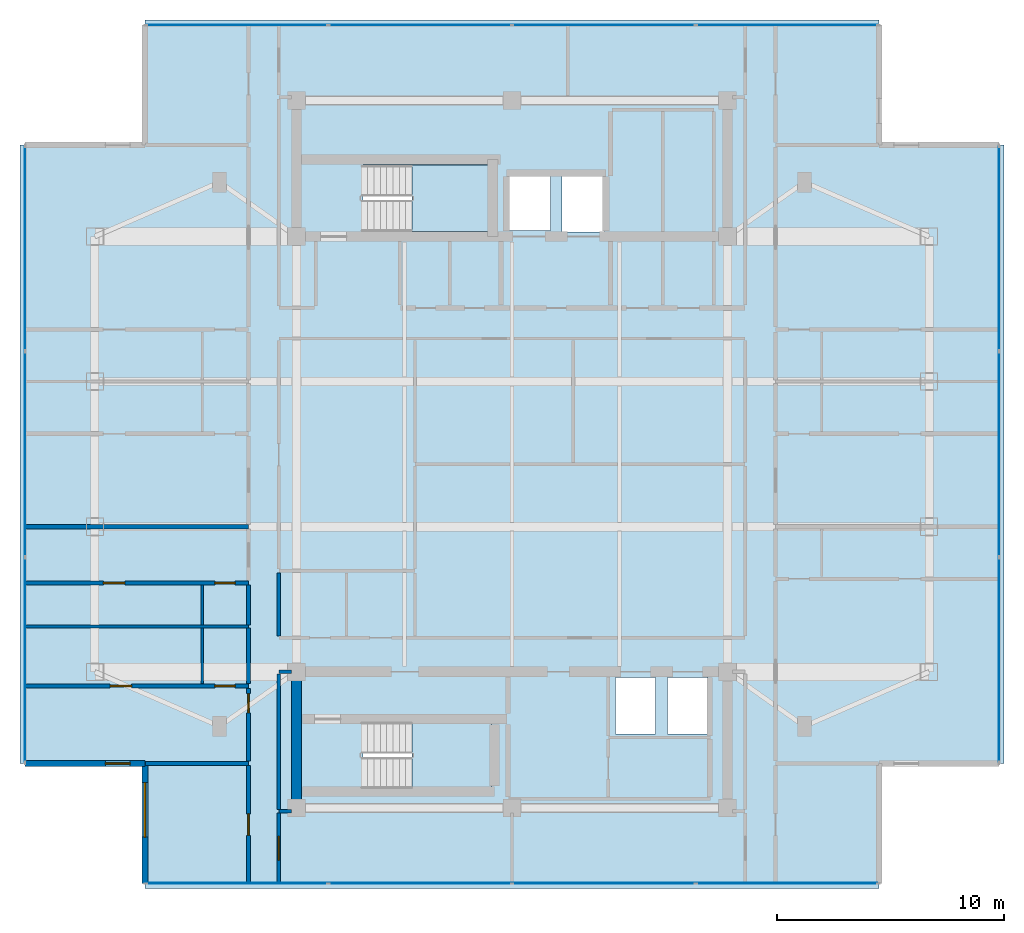
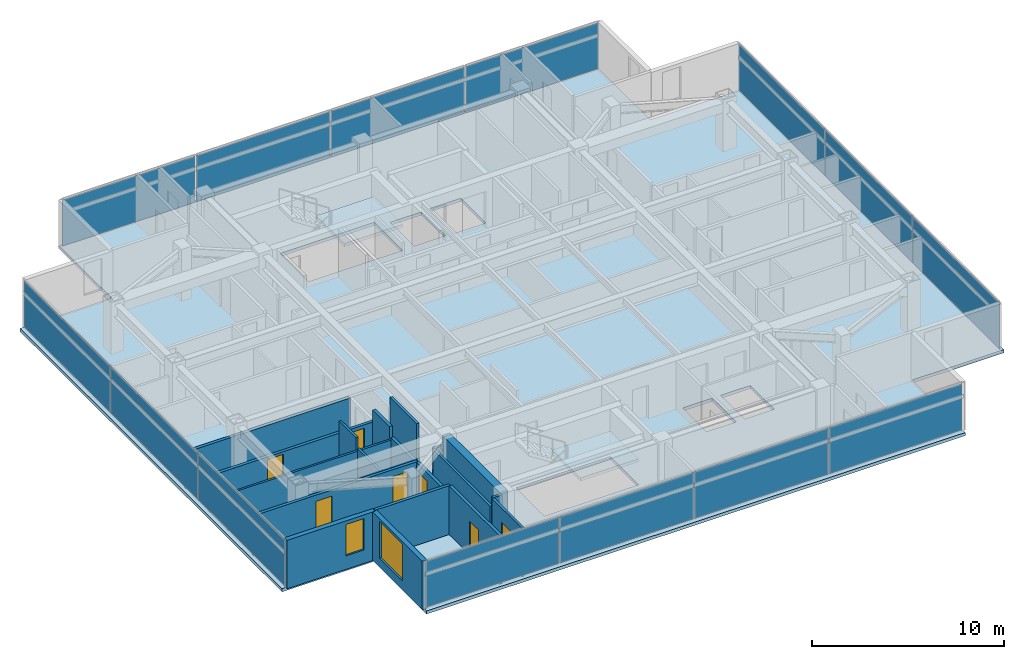
# One storey, part 7 of 14: 19 walls, 14 plates, 7 doors, 3 slabs, 2 windows, 9 openings, 6 elements without a shape of their own.
"""IFC4 building model written with IfcOpenShell, lengths in metres."""

from ifc_helpers import new_model, si_unit, direction, frame, frame_2d, origin, origin_2d, place, context, subcontext, project, spatial, polyline, rectangle, outline, extrude, material, layer, layer_set, type_object, element, fill, aggregate, save


model = new_model("IFC4")

# Units and contexts
model_context = context("Model", 3, precision=1e-05, world=origin(), true_north=direction((0.0, 1.0)))
body_context = subcontext(model_context, "Body", "Model", "MODEL_VIEW")
ifc_project = project(units=[si_unit("LENGTHUNIT", "METRE"), si_unit("AREAUNIT", "SQUARE_METRE"), si_unit("VOLUMEUNIT", "CUBIC_METRE"), si_unit("PLANEANGLEUNIT", "RADIAN"), si_unit("MASSUNIT", "GRAM", prefix="KILO")], contexts=[model_context])

# Site, building, storey
site_placement = place(None, origin())
site = spatial("IfcSite", under=ifc_project, at=site_placement, CompositionType="ELEMENT")
building_placement = place(site_placement, origin())
building = spatial("IfcBuilding", under=site, at=building_placement, Name="Mirazonda Arch Towers", CompositionType="ELEMENT")
storey_placement = place(building_placement, frame((0.0, 0.0, 235.89990234375)))
storey = spatial("IfcBuildingStorey", under=building, at=storey_placement, Name="L67", CompositionType="ELEMENT", Elevation=235.89990234375)

# Curtain wall, plates
ifc_material_1 = material(Name="Anodised Aluminium and Low-E Glass", Category="aluminium")
curtain_wall_type = type_object("IfcCurtainWallType", Name="CW-RES-UNIT", PredefinedType="NOTDEFINED", material=ifc_material_1)
curtain_wall_1_placement = place(storey_placement, origin())
curtain_wall_1 = element("IfcCurtainWall", 1, at=curtain_wall_1_placement, inside=storey, type_object=curtain_wall_type, Name="L67 T1 S Facade CW-L67-T1-S", PredefinedType="NOTDEFINED")
ifc_material_2 = material(Name="Insulated Low-E Solar Glass", Category="glass")
ifc_layer_1 = layer(ifc_material_2, 0.0400390625, Name="PAN-CW-RES-UNIT")
ifc_layer_set_1 = layer_set([ifc_layer_1], Name="Insulated Low-E Solar Glass")
plate_type = type_object("IfcPlateType", Name="PAN-CW-RES-UNIT", PredefinedType="CURTAIN_PANEL", material=ifc_layer_set_1)
plate_1_placement = place(storey_placement, frame((32.623779296875, 9.070068359375, 0.0751953125), z_axis=(0.0, 0.0, 1.0), x_axis=(-1.0, 0.0, 0.0)))
plate_1 = element("IfcPlate", 2, at=plate_1_placement, type_object=plate_type, Name="CW-104 panel 1.1", PredefinedType="CURTAIN_PANEL", context=body_context, shape_type="SweptSolid", body=[
    extrude(rectangle(XDim=7.982421875, YDim=0.0400390625, at=origin_2d()), origin(), (0.0, 0.0, 1.0), 2.929931640625),
])
plate_2_placement = place(storey_placement, frame((24.547607421875, 9.070068359375, 0.0751953125), z_axis=(0.0, 0.0, 1.0), x_axis=(-1.0, 0.0, 0.0)))
plate_2 = element("IfcPlate", 3, at=plate_2_placement, type_object=plate_type, Name="CW-104 panel 2.1", PredefinedType="CURTAIN_PANEL", context=body_context, shape_type="SweptSolid", body=[
    extrude(rectangle(XDim=8.02001953125, YDim=0.0400390625, at=origin_2d()), origin(), (0.0, 0.0, 1.0), 2.929931640625),
])
plate_3_placement = place(storey_placement, frame((16.452392578125, 9.070068359375, 0.0751953125), z_axis=(0.0, 0.0, 1.0), x_axis=(-1.0, 0.0, 0.0)))
plate_3 = element("IfcPlate", 4, at=plate_3_placement, type_object=plate_type, Name="CW-104 panel 3.1", PredefinedType="CURTAIN_PANEL", context=body_context, shape_type="SweptSolid", body=[
    extrude(rectangle(XDim=8.02001953125, YDim=0.0400390625, at=origin_2d()), origin(), (0.0, 0.0, 1.0), 2.929931640625),
])
plate_4_placement = place(storey_placement, frame((8.376220703125, 9.070068359375, 0.0751953125), z_axis=(0.0, 0.0, 1.0), x_axis=(-1.0, 0.0, 0.0)))
plate_4 = element("IfcPlate", 5, at=plate_4_placement, type_object=plate_type, Name="CW-104 panel 4.1", PredefinedType="CURTAIN_PANEL", context=body_context, shape_type="SweptSolid", body=[
    extrude(rectangle(XDim=7.982421875, YDim=0.0400390625, at=origin_2d()), origin(), (0.0, 0.0, 1.0), 2.929931640625),
])
aggregate(curtain_wall_1, [plate_1, plate_2, plate_3, plate_4])

curtain_wall_2_placement = place(storey_placement, origin())
curtain_wall_2 = element("IfcCurtainWall", 6, at=curtain_wall_2_placement, inside=storey, type_object=curtain_wall_type, Name="L67 T1 E Facade CW-L67-T1-E", PredefinedType="NOTDEFINED")
plate_5_placement = place(storey_placement, frame((41.97998046875, 18.925537109375, 0.0751953125), z_axis=(0.0, 0.0, 1.0), x_axis=(0.0, 1.0, 0.0)))
plate_5 = element("IfcPlate", 7, at=plate_5_placement, type_object=plate_type, Name="CW-104 panel 1.1", PredefinedType="CURTAIN_PANEL", context=body_context, shape_type="SweptSolid", body=[
    extrude(rectangle(XDim=8.980712890625, YDim=0.0400390625, at=origin_2d()), origin(), (0.0, 0.0, 1.0), 2.929931640625),
])
plate_6_placement = place(storey_placement, frame((41.97998046875, 28.0, 0.0751953125), z_axis=(0.0, 0.0, 1.0), x_axis=(0.0, 1.0, 0.0)))
plate_6 = element("IfcPlate", 8, at=plate_6_placement, type_object=plate_type, Name="CW-104 panel 2.1", PredefinedType="CURTAIN_PANEL", context=body_context, shape_type="SweptSolid", body=[
    extrude(rectangle(XDim=9.018310546875, YDim=0.0400390625, at=origin_2d()), origin(), (0.0, 0.0, 1.0), 2.929931640625),
])
plate_7_placement = place(storey_placement, frame((41.97998046875, 37.074462890625, 0.0751953125), z_axis=(0.0, 0.0, 1.0), x_axis=(0.0, 1.0, 0.0)))
plate_7 = element("IfcPlate", 9, at=plate_7_placement, type_object=plate_type, Name="CW-104 panel 3.1", PredefinedType="CURTAIN_PANEL", context=body_context, shape_type="SweptSolid", body=[
    extrude(rectangle(XDim=8.980712890625, YDim=0.0400390625, at=origin_2d()), origin(), (0.0, 0.0, 1.0), 2.929931640625),
])
aggregate(curtain_wall_2, [plate_5, plate_6, plate_7])

curtain_wall_3_placement = place(storey_placement, origin())
curtain_wall_3 = element("IfcCurtainWall", 10, at=curtain_wall_3_placement, inside=storey, type_object=curtain_wall_type, Name="L67 T1 N Facade CW-L67-T1-N", PredefinedType="NOTDEFINED")
plate_8_placement = place(storey_placement, frame((8.376220703125, 46.929931640625, 0.0751953125), z_axis=(0.0, 0.0, 1.0), x_axis=(1.0, 0.0, 0.0)))
plate_8 = element("IfcPlate", 11, at=plate_8_placement, type_object=plate_type, Name="CW-104 panel 1.1", PredefinedType="CURTAIN_PANEL", context=body_context, shape_type="SweptSolid", body=[
    extrude(rectangle(XDim=7.982421875, YDim=0.0400390625, at=origin_2d()), origin(), (0.0, 0.0, 1.0), 2.929931640625),
])
plate_9_placement = place(storey_placement, frame((16.452392578125, 46.929931640625, 0.0751953125), z_axis=(0.0, 0.0, 1.0), x_axis=(1.0, 0.0, 0.0)))
plate_9 = element("IfcPlate", 12, at=plate_9_placement, type_object=plate_type, Name="CW-104 panel 2.1", PredefinedType="CURTAIN_PANEL", context=body_context, shape_type="SweptSolid", body=[
    extrude(rectangle(XDim=8.02001953125, YDim=0.0400390625, at=origin_2d()), origin(), (0.0, 0.0, 1.0), 2.929931640625),
])
plate_10_placement = place(storey_placement, frame((24.547607421875, 46.929931640625, 0.0751953125), z_axis=(0.0, 0.0, 1.0), x_axis=(1.0, 0.0, 0.0)))
plate_10 = element("IfcPlate", 13, at=plate_10_placement, type_object=plate_type, Name="CW-104 panel 3.1", PredefinedType="CURTAIN_PANEL", context=body_context, shape_type="SweptSolid", body=[
    extrude(rectangle(XDim=8.02001953125, YDim=0.0400390625, at=origin_2d()), origin(), (0.0, 0.0, 1.0), 2.929931640625),
])
plate_11_placement = place(storey_placement, frame((32.623779296875, 46.929931640625, 0.0751953125), z_axis=(0.0, 0.0, 1.0), x_axis=(1.0, 0.0, 0.0)))
plate_11 = element("IfcPlate", 14, at=plate_11_placement, type_object=plate_type, Name="CW-104 panel 4.1", PredefinedType="CURTAIN_PANEL", context=body_context, shape_type="SweptSolid", body=[
    extrude(rectangle(XDim=7.982421875, YDim=0.0400390625, at=origin_2d()), origin(), (0.0, 0.0, 1.0), 2.929931640625),
])
aggregate(curtain_wall_3, [plate_8, plate_9, plate_10, plate_11])

curtain_wall_4_placement = place(storey_placement, origin())
curtain_wall_4 = element("IfcCurtainWall", 15, at=curtain_wall_4_placement, inside=storey, type_object=curtain_wall_type, Name="L67 T1 W Facade CW-L67-T1-W", PredefinedType="NOTDEFINED")
plate_12_placement = place(storey_placement, frame((-0.97998046875, 37.074462890625, 0.0751953125), z_axis=(0.0, 0.0, 1.0), x_axis=(0.0, -1.0, 0.0)))
plate_12 = element("IfcPlate", 16, at=plate_12_placement, type_object=plate_type, Name="CW-104 panel 1.1", PredefinedType="CURTAIN_PANEL", context=body_context, shape_type="SweptSolid", body=[
    extrude(rectangle(XDim=8.980712890625, YDim=0.0400390625, at=origin_2d()), origin(), (0.0, 0.0, 1.0), 2.929931640625),
])
plate_13_placement = place(storey_placement, frame((-0.97998046875, 28.0, 0.0751953125), z_axis=(0.0, 0.0, 1.0), x_axis=(0.0, -1.0, 0.0)))
plate_13 = element("IfcPlate", 17, at=plate_13_placement, type_object=plate_type, Name="CW-104 panel 2.1", PredefinedType="CURTAIN_PANEL", context=body_context, shape_type="SweptSolid", body=[
    extrude(rectangle(XDim=9.018310546875, YDim=0.0400390625, at=origin_2d()), origin(), (0.0, 0.0, 1.0), 2.929931640625),
])
plate_14_placement = place(storey_placement, frame((-0.97998046875, 18.925537109375, 0.0751953125), z_axis=(0.0, 0.0, 1.0), x_axis=(0.0, -1.0, 0.0)))
plate_14 = element("IfcPlate", 18, at=plate_14_placement, type_object=plate_type, Name="CW-104 panel 3.1", PredefinedType="CURTAIN_PANEL", context=body_context, shape_type="SweptSolid", body=[
    extrude(rectangle(XDim=8.980712890625, YDim=0.0400390625, at=origin_2d()), origin(), (0.0, 0.0, 1.0), 2.929931640625),
])
aggregate(curtain_wall_4, [plate_12, plate_13, plate_14])

# Stair, slab
ifc_material_3 = material(Name="Concrete C40/50", Category="concrete")
stair_type = type_object("IfcStairType", Name="STAIR-CORE-1400", PredefinedType="HALF_TURN_STAIR", material=ifc_material_3)
stair_1_placement = place(storey_placement, origin())
stair_1 = element("IfcStair", 19, at=stair_1_placement, inside=storey, type_object=stair_type, Name="L67 Protected Exit Stair ST-T1N", PredefinedType="HALF_TURN_STAIR")
ifc_layer_2 = layer(ifc_material_3, 0.18994140625, Name="SLAB-LANDING-190")
ifc_layer_set_2 = layer_set([ifc_layer_2], Name="Concrete C40/50")
slab_type_1 = type_object("IfcSlabType", Name="SLAB-LANDING-190", PredefinedType="LANDING", material=ifc_layer_set_2)
slab_1_placement = place(storey_placement, frame((0.0, 0.0, 1.4501953125)))
slab_1 = element("IfcSlab", 20, at=slab_1_placement, type_object=slab_type_1, Name="ST-T1N landing 1", PredefinedType="LANDING", context=body_context, shape_type="SweptSolid", body=[
    extrude(outline(polyline([(16.090087890625, 37.820068359375), (19.60009765625, 37.820068359375), (19.60009765625, 40.760009765625), (16.090087890625, 40.760009765625), (16.090087890625, 37.820068359375)])), origin(), (0.0, 0.0, 1.0), 0.199951171875),
])
aggregate(stair_1, [slab_1])

stair_2_placement = place(storey_placement, origin())
stair_2 = element("IfcStair", 21, at=stair_2_placement, inside=storey, type_object=stair_type, Name="L67 Protected Exit Stair ST-T1S", PredefinedType="HALF_TURN_STAIR")
slab_2_placement = place(storey_placement, frame((0.0, 0.0, 1.4501953125)))
slab_2 = element("IfcSlab", 22, at=slab_2_placement, type_object=slab_type_1, Name="ST-T1S landing 1", PredefinedType="LANDING", context=body_context, shape_type="SweptSolid", body=[
    extrude(outline(polyline([(16.090087890625, 13.25), (19.60009765625, 13.25), (19.60009765625, 16.18994140625), (16.090087890625, 16.18994140625), (16.090087890625, 13.25)])), origin(), (0.0, 0.0, 1.0), 0.199951171875),
])
aggregate(stair_2, [slab_2])

# Slab
ifc_layer_3 = layer(ifc_material_3, 0.199951171875, Name="SLAB-TWR-200")
ifc_layer_set_3 = layer_set([ifc_layer_3], Name="Concrete C40/50")
slab_type_2 = type_object("IfcSlabType", Name="SLAB-TWR-200", PredefinedType="FLOOR", material=ifc_layer_set_3)
slab_3_placement = place(storey_placement, frame((0.0, 0.0, -0.199951171875)))
element("IfcSlab", 23, at=slab_3_placement, inside=storey, type_object=slab_type_2, Name="L67 Tower 1 Floor Slab", PredefinedType="FLOOR", context=body_context, shape_type="SweptSolid", body=[
    extrude(outline(polyline([(4.31005859375, 8.85009765625), (36.68994140625, 8.85009765625), (36.68994140625, 14.360107421875), (42.199951171875, 14.360107421875), (42.199951171875, 41.639892578125), (36.68994140625, 41.639892578125), (36.68994140625, 47.14990234375), (4.31005859375, 47.14990234375), (4.31005859375, 41.639892578125), (-1.199951171875, 41.639892578125), (-1.199951171875, 14.360107421875), (4.31005859375, 14.360107421875), (4.31005859375, 8.85009765625)]), holes=[polyline([(27.360107421875, 18.139892578125), (29.139892578125, 18.139892578125), (29.139892578125, 15.659912109375), (27.360107421875, 15.659912109375), (27.360107421875, 18.139892578125)]), polyline([(25.06005859375, 18.139892578125), (26.840087890625, 18.139892578125), (26.840087890625, 15.659912109375), (25.06005859375, 15.659912109375), (25.06005859375, 18.139892578125)]), polyline([(22.7099609375, 40.389892578125), (24.590087890625, 40.389892578125), (24.590087890625, 37.81005859375), (22.7099609375, 37.81005859375), (22.7099609375, 40.389892578125)]), polyline([(20.31005859375, 37.860107421875), (20.31005859375, 40.340087890625), (22.18994140625, 40.340087890625), (22.18994140625, 37.860107421875), (20.31005859375, 37.860107421875)]), polyline([(19.60009765625, 13.25), (13.925048828125, 13.25), (13.925048828125, 16.18994140625), (19.60009765625, 16.18994140625), (19.60009765625, 13.25)]), polyline([(13.925048828125, 37.820068359375), (13.925048828125, 40.760009765625), (19.60009765625, 40.760009765625), (19.60009765625, 37.820068359375), (13.925048828125, 37.820068359375)])]), origin(), (0.0, 0.0, 1.0), 0.199951171875),
])

# Wall
ifc_material_4 = material(Name="Concrete C50/60", Category="concrete")
ifc_layer_4 = layer(ifc_material_4, 0.449951171875, Name="WALL-CORE-450")
ifc_layer_set_4 = layer_set([ifc_layer_4], Name="Concrete C50/60")
wall_type_1 = type_object("IfcWallType", Name="WALL-CORE-450", PredefinedType="SHEAR", material=ifc_layer_set_4)
wall_1_placement = place(storey_placement, frame((11.0, 12.39990234375, 0.0), z_axis=(0.0, 0.0, 1.0), x_axis=(0.0, 1.0, 0.0)))
element("IfcWall", 24, at=wall_1_placement, inside=storey, type_object=wall_type_1, Name="L67 T1S-W Core Shear Wall", PredefinedType="SHEAR", context=body_context, shape_type="SweptSolid", body=[
    extrude(rectangle(XDim=6.0, YDim=0.449951171875, at=frame_2d((3.0, 0.0))), origin(), (0.0, 0.0, 1.0), 3.10009765625),
])

# Wall, opening, window
ifc_material_5 = material(Name="Precast Concrete C40/50", Category="concrete")
ifc_layer_5 = layer(ifc_material_5, 0.280029296875, Name="WALL-EXT-WALL-280")
ifc_layer_set_5 = layer_set([ifc_layer_5], Name="Precast Concrete C40/50")
wall_type_2 = type_object("IfcWallType", Name="WALL-EXT-WALL-280", PredefinedType="SOLIDWALL", material=ifc_layer_set_5)
wall_2_placement = place(storey_placement, frame((4.31005859375, 14.360107421875, 0.0), z_axis=(0.0, 0.0, 1.0), x_axis=(0.0, -1.0, 0.0)))
wall_2 = element("IfcWall", 25, at=wall_2_placement, inside=storey, type_object=wall_type_2, Name="L67 T1 Notched SW Corner Wall WL-L67-T1-CSW", PredefinedType="SOLIDWALL", context=body_context, shape_type="SweptSolid", body=[
    extrude(rectangle(XDim=5.2900390625, YDim=0.280029296875, at=frame_2d((2.64501953125, 0.0))), origin(), (0.0, 0.0, 1.0), 3.080078125),
])
opening_1_placement = place(wall_2_placement, frame((0.85009765625, 0.0, 0.580078125)))
opening_1 = element("IfcOpeningElement", 26, at=opening_1_placement, cuts=wall_2, Name="Opening WN-121", PredefinedType="OPENING", context=body_context, shape_type="SweptSolid", body=[
    extrude(rectangle(XDim=2.39990234375, YDim=2.35009765625, at=frame_2d((1.199951171875, 1.175048828125))), frame((0.0, 0.14990234375, 0.0), z_axis=(0.0, -1.0, 0.0), x_axis=(1.0, 0.0, 0.0)), (0.0, 0.0, 1.0), 0.300048828125),
])
window_type_1 = type_object("IfcWindowType", Name="WIN-PENT-2400x2350", PartitioningType="SINGLE_PANEL", PredefinedType="WINDOW", material=ifc_material_2)
window_1_placement = place(opening_1_placement, origin())
window_1 = element("IfcWindow", 27, at=window_1_placement, inside=storey, type_object=window_type_1, Name="L67 Punched Facade Window WN-L67-T1-CSW", OverallHeight=2.35009765625, OverallWidth=2.39990234375, PartitioningType="SINGLE_PANEL", PredefinedType="WINDOW", context=body_context, shape_type="SweptSolid", body=[
    extrude(rectangle(XDim=2.39990234375, YDim=2.35009765625, at=frame_2d((1.199951171875, 1.175048828125))), frame((0.0, 0.030029296875, 0.0), z_axis=(0.0, -1.0, 0.0), x_axis=(1.0, 0.0, 0.0)), (0.0, 0.0, 1.0), 0.06005859375),
])
fill(opening_1, window_1)

wall_3_placement = place(storey_placement, frame((-0.97998046875, 14.360107421875, 0.0), z_axis=(0.0, 0.0, 1.0), x_axis=(1.0, 0.0, 0.0)))
wall_3 = element("IfcWall", 28, at=wall_3_placement, inside=storey, type_object=wall_type_2, Name="L67 T1 Corner Notch Return Wall WL-L67-T1-CSW2", PredefinedType="SOLIDWALL", context=body_context, shape_type="SweptSolid", body=[
    extrude(rectangle(XDim=5.2900390625, YDim=0.280029296875, at=frame_2d((2.64501953125, 0.0))), origin(), (0.0, 0.0, 1.0), 3.080078125),
])
opening_2_placement = place(wall_3_placement, frame((3.5400390625, 0.0, 0.85009765625)))
opening_2 = element("IfcOpeningElement", 29, at=opening_2_placement, cuts=wall_3, Name="Opening WN-108", PredefinedType="OPENING", context=body_context, shape_type="SweptSolid", body=[
    extrude(rectangle(XDim=1.10009765625, YDim=2.0, at=frame_2d((0.550048828125, 1.0))), frame((0.0, 0.14990234375, 0.0), z_axis=(0.0, -1.0, 0.0), x_axis=(1.0, 0.0, 0.0)), (0.0, 0.0, 1.0), 0.300048828125),
])
window_type_2 = type_object("IfcWindowType", Name="WIN-NOTCH-1100x2000", PartitioningType="SINGLE_PANEL", PredefinedType="WINDOW", material=ifc_material_2)
window_2_placement = place(opening_2_placement, origin())
window_2 = element("IfcWindow", 30, at=window_2_placement, inside=storey, type_object=window_type_2, Name="L67 Punched Facade Window WN-L67-T1-CSW2", OverallHeight=2.0, OverallWidth=1.10009765625, PartitioningType="SINGLE_PANEL", PredefinedType="WINDOW", context=body_context, shape_type="SweptSolid", body=[
    extrude(rectangle(XDim=1.10009765625, YDim=2.0, at=frame_2d((0.550048828125, 1.0))), frame((0.0, 0.030029296875, 0.0), z_axis=(0.0, -1.0, 0.0), x_axis=(1.0, 0.0, 0.0)), (0.0, 0.0, 1.0), 0.06005859375),
])
fill(opening_2, window_2)

# Walls
ifc_material_6 = material(Name="Fire-Rated Gypsum Stud Partition")
ifc_layer_6 = layer(ifc_material_6, 0.14990234375, Name="WALL-PART-CORR-150")
ifc_layer_set_6 = layer_set([ifc_layer_6], Name="Fire-Rated Gypsum Stud Partition")
wall_type_3 = type_object("IfcWallType", Name="WALL-PART-CORR-150", PredefinedType="PARTITIONING", material=ifc_layer_set_6)
wall_4_placement = place(storey_placement, frame((10.219970703125, 12.25, 0.0), z_axis=(0.0, 0.0, 1.0), x_axis=(1.0, 0.0, 0.0)))
element("IfcWall", 31, at=wall_4_placement, inside=storey, type_object=wall_type_3, Name="L67 Interior Partition 001", PredefinedType="PARTITIONING", context=body_context, shape_type="SweptSolid", body=[
    extrude(rectangle(XDim=0.56005859375, YDim=0.14990234375, at=frame_2d((0.280029296875, 0.0))), origin(), (0.0, 0.0, 1.0), 3.10009765625),
])
wall_5_placement = place(storey_placement, frame((10.219970703125, 18.39990234375, 0.0), z_axis=(0.0, 0.0, 1.0), x_axis=(1.0, 0.0, 0.0)))
element("IfcWall", 32, at=wall_5_placement, inside=storey, type_object=wall_type_3, Name="L67 Interior Partition 010", PredefinedType="PARTITIONING", context=body_context, shape_type="SweptSolid", body=[
    extrude(rectangle(XDim=0.56005859375, YDim=0.14990234375, at=frame_2d((0.280029296875, 0.0))), origin(), (0.0, 0.0, 1.0), 2.4921875),
])

# Wall, opening, door
wall_6_placement = place(storey_placement, frame((10.219970703125, 9.070068359375, 0.0), z_axis=(0.0, 0.0, 1.0), x_axis=(0.0, 1.0, 0.0)))
wall_6 = element("IfcWall", 33, at=wall_6_placement, inside=storey, type_object=wall_type_3, Name="L67 Interior Partition 049", PredefinedType="PARTITIONING", context=body_context, shape_type="SweptSolid", body=[
    extrude(rectangle(XDim=3.094970703125, YDim=0.14990234375, at=frame_2d((1.54736328125, 0.0))), origin(), (0.0, 0.0, 1.0), 3.10009765625),
])
opening_3_placement = place(wall_6_placement, frame((1.0224609375, 0.0, 0.0)))
opening_3 = element("IfcOpeningElement", 34, at=opening_3_placement, cuts=wall_6, Name="Opening DR-121", PredefinedType="OPENING", context=body_context, shape_type="SweptSolid", body=[
    extrude(rectangle(XDim=1.050048828125, YDim=2.199951171875, at=frame_2d((0.52490234375, 1.10009765625))), frame((0.0, 0.0849609375, 0.0), z_axis=(0.0, -1.0, 0.0), x_axis=(1.0, 0.0, 0.0)), (0.0, 0.0, 1.0), 0.169921875),
])
ifc_material_7 = material(Name="Architectural Brushed Steel S355", Category="steel")
door_type_1 = type_object("IfcDoorType", Name="DOOR-SUITE-FD60-1050", OperationType="NOTDEFINED", PredefinedType="DOOR", material=ifc_material_7)
door_1_placement = place(opening_3_placement, origin())
door_1 = element("IfcDoor", 35, at=door_1_placement, inside=storey, type_object=door_type_1, Name="L67 South Horizon Lounge West Door", OperationType="SINGLE_SWING_RIGHT", OverallHeight=2.199951171875, OverallWidth=1.050048828125, PredefinedType="DOOR", context=body_context, shape_type="SweptSolid", body=[
    extrude(rectangle(XDim=1.050048828125, YDim=2.199951171875, at=frame_2d((0.52490234375, 1.10009765625))), frame((0.0, 0.02490234375, 0.0), z_axis=(0.0, -1.0, 0.0), x_axis=(1.0, 0.0, 0.0)), (0.0, 0.0, 1.0), 0.050048828125),
])
fill(opening_3, door_1)

# Walls
wall_7_placement = place(storey_placement, frame((10.219970703125, 12.3349609375, 0.0), z_axis=(0.0, 0.0, 1.0), x_axis=(0.0, 1.0, 0.0)))
element("IfcWall", 36, at=wall_7_placement, inside=storey, type_object=wall_type_3, Name="L67 Interior Partition 050", PredefinedType="PARTITIONING", context=body_context, shape_type="SweptSolid", body=[
    extrude(rectangle(XDim=5.97998046875, YDim=0.14990234375, at=frame_2d((2.989990234375, 0.0))), origin(), (0.0, 0.0, 1.0), 2.4921875),
])
wall_8_placement = place(storey_placement, frame((10.219970703125, 19.985107421875, 0.0), z_axis=(0.0, 0.0, 1.0), x_axis=(0.0, 1.0, 0.0)))
element("IfcWall", 37, at=wall_8_placement, inside=storey, type_object=wall_type_3, Name="L67 Interior Partition 051", PredefinedType="PARTITIONING", context=body_context, shape_type="SweptSolid", body=[
    extrude(rectangle(XDim=2.77978515625, YDim=0.14990234375, at=frame_2d((1.389892578125, 0.0))), origin(), (0.0, 0.0, 1.0), 3.10009765625),
])
ifc_material_8 = material(Name="Fire-Rated Gypsum Twin-Stud Assembly")
ifc_layer_7 = layer(ifc_material_8, 0.179931640625, Name="WALL-PART-DEMISE-180")
ifc_layer_set_7 = layer_set([ifc_layer_7], Name="Fire-Rated Gypsum Twin-Stud Assembly")
wall_type_4 = type_object("IfcWallType", Name="WALL-PART-DEMISE-180", PredefinedType="PARTITIONING", material=ifc_layer_set_7)
wall_9_placement = place(storey_placement, frame((4.330078125, 14.360107421875, 0.0), z_axis=(0.0, 0.0, 1.0), x_axis=(1.0, 0.0, 0.0)))
element("IfcWall", 38, at=wall_9_placement, inside=storey, type_object=wall_type_4, Name="L67 Interior Partition 005", PredefinedType="PARTITIONING", context=body_context, shape_type="SweptSolid", body=[
    extrude(rectangle(XDim=4.5498046875, YDim=0.179931640625, at=frame_2d((2.27490234375, 0.0))), origin(), (0.0, 0.0, 1.0), 3.10009765625),
])

# Wall, openings, doors
wall_10_placement = place(storey_placement, frame((-0.97998046875, 17.77587890625, 0.0), z_axis=(0.0, 0.0, 1.0), x_axis=(1.0, 0.0, 0.0)))
wall_10 = element("IfcWall", 39, at=wall_10_placement, inside=storey, type_object=wall_type_4, Name="L67 Interior Partition 009", PredefinedType="PARTITIONING", context=body_context, shape_type="SweptSolid", body=[
    extrude(rectangle(XDim=9.85986328125, YDim=0.179931640625, at=frame_2d((4.929931640625, 0.0))), origin(), (0.0, 0.0, 1.0), 2.543212890625),
])
opening_4_placement = place(wall_10_placement, frame((3.7548828125, 0.0, 0.0)))
opening_4 = element("IfcOpeningElement", 40, at=opening_4_placement, cuts=wall_10, Name="Opening DR-104", PredefinedType="OPENING", context=body_context, shape_type="SweptSolid", body=[
    extrude(rectangle(XDim=0.949951171875, YDim=2.14990234375, at=frame_2d((0.47509765625, 1.074951171875))), frame((0.0, 0.099853515625, 0.0), z_axis=(0.0, -1.0, 0.0), x_axis=(1.0, 0.0, 0.0)), (0.0, 0.0, 1.0), 0.199951171875),
])
opening_5_placement = place(wall_10_placement, frame((8.3701171875, 0.0, 0.0)))
opening_5 = element("IfcOpeningElement", 41, at=opening_5_placement, cuts=wall_10, Name="Opening DR-120", PredefinedType="OPENING", context=body_context, shape_type="SweptSolid", body=[
    extrude(rectangle(XDim=0.89990234375, YDim=2.10009765625, at=frame_2d((0.449951171875, 1.050048828125))), frame((0.0, 0.099853515625, 0.0), z_axis=(0.0, -1.0, 0.0), x_axis=(1.0, 0.0, 0.0)), (0.0, 0.0, 1.0), 0.199951171875),
])
door_type_2 = type_object("IfcDoorType", Name="DOOR-ROOM-950", OperationType="NOTDEFINED", PredefinedType="DOOR", material=ifc_material_7)
door_2_placement = place(opening_4_placement, origin())
door_2 = element("IfcDoor", 42, at=door_2_placement, inside=storey, type_object=door_type_2, Name="L67 Guestroom Study 1 Door", OperationType="SINGLE_SWING_LEFT", OverallHeight=2.14990234375, OverallWidth=0.949951171875, PredefinedType="DOOR", context=body_context, shape_type="SweptSolid", body=[
    extrude(rectangle(XDim=0.949951171875, YDim=2.14990234375, at=frame_2d((0.47509765625, 1.074951171875))), frame((0.0, 0.02490234375, 0.0), z_axis=(0.0, -1.0, 0.0), x_axis=(1.0, 0.0, 0.0)), (0.0, 0.0, 1.0), 0.050048828125),
])
fill(opening_4, door_2)
door_type_3 = type_object("IfcDoorType", Name="DOOR-WC-900", OperationType="NOTDEFINED", PredefinedType="DOOR", material=ifc_material_7)
door_3_placement = place(opening_5_placement, origin())
door_3 = element("IfcDoor", 43, at=door_3_placement, inside=storey, type_object=door_type_3, Name="L67 En-Suite Bathroom 1 Door", OperationType="SINGLE_SWING_RIGHT", OverallHeight=2.10009765625, OverallWidth=0.89990234375, PredefinedType="DOOR", context=body_context, shape_type="SweptSolid", body=[
    extrude(rectangle(XDim=0.89990234375, YDim=2.10009765625, at=frame_2d((0.449951171875, 1.050048828125))), frame((0.0, 0.02490234375, 0.0), z_axis=(0.0, -1.0, 0.0), x_axis=(1.0, 0.0, 0.0)), (0.0, 0.0, 1.0), 0.050048828125),
])
fill(opening_5, door_3)

wall_11_placement = place(storey_placement, frame((-0.97998046875, 22.320068359375, 0.0), z_axis=(0.0, 0.0, 1.0), x_axis=(1.0, 0.0, 0.0)))
wall_11 = element("IfcWall", 44, at=wall_11_placement, inside=storey, type_object=wall_type_4, Name="L67 Interior Partition 014", PredefinedType="PARTITIONING", context=body_context, shape_type="SweptSolid", body=[
    extrude(rectangle(XDim=9.85986328125, YDim=0.179931640625, at=frame_2d((4.929931640625, 0.0))), origin(), (0.0, 0.0, 1.0), 2.319091796875),
])
opening_6_placement = place(wall_11_placement, frame((3.455078125, 0.0, 0.0)))
opening_6 = element("IfcOpeningElement", 45, at=opening_6_placement, cuts=wall_11, Name="Opening DR-104", PredefinedType="OPENING", context=body_context, shape_type="SweptSolid", body=[
    extrude(rectangle(XDim=0.949951171875, YDim=2.14990234375, at=frame_2d((0.47509765625, 1.074951171875))), frame((0.0, 0.099853515625, 0.0), z_axis=(0.0, -1.0, 0.0), x_axis=(1.0, 0.0, 0.0)), (0.0, 0.0, 1.0), 0.199951171875),
])
opening_7_placement = place(wall_11_placement, frame((8.3701171875, 0.0, 0.0)))
opening_7 = element("IfcOpeningElement", 46, at=opening_7_placement, cuts=wall_11, Name="Opening DR-120", PredefinedType="OPENING", context=body_context, shape_type="SweptSolid", body=[
    extrude(rectangle(XDim=0.89990234375, YDim=2.10009765625, at=frame_2d((0.449951171875, 1.050048828125))), frame((0.0, 0.099853515625, 0.0), z_axis=(0.0, -1.0, 0.0), x_axis=(1.0, 0.0, 0.0)), (0.0, 0.0, 1.0), 0.199951171875),
])
door_4_placement = place(opening_6_placement, origin())
door_4 = element("IfcDoor", 47, at=door_4_placement, inside=storey, type_object=door_type_2, Name="L67 Guestroom Study 2 Door", OperationType="SINGLE_SWING_RIGHT", OverallHeight=2.14990234375, OverallWidth=0.949951171875, PredefinedType="DOOR", context=body_context, shape_type="SweptSolid", body=[
    extrude(rectangle(XDim=0.949951171875, YDim=2.14990234375, at=frame_2d((0.47509765625, 1.074951171875))), frame((0.0, 0.02490234375, 0.0), z_axis=(0.0, -1.0, 0.0), x_axis=(1.0, 0.0, 0.0)), (0.0, 0.0, 1.0), 0.050048828125),
])
fill(opening_6, door_4)
door_5_placement = place(opening_7_placement, origin())
door_5 = element("IfcDoor", 48, at=door_5_placement, inside=storey, type_object=door_type_3, Name="L67 En-Suite Bathroom 2 Door", OperationType="SINGLE_SWING_LEFT", OverallHeight=2.10009765625, OverallWidth=0.89990234375, PredefinedType="DOOR", context=body_context, shape_type="SweptSolid", body=[
    extrude(rectangle(XDim=0.89990234375, YDim=2.10009765625, at=frame_2d((0.449951171875, 1.050048828125))), frame((0.0, 0.02490234375, 0.0), z_axis=(0.0, -1.0, 0.0), x_axis=(1.0, 0.0, 0.0)), (0.0, 0.0, 1.0), 0.050048828125),
])
fill(opening_7, door_5)

# Wall
wall_12_placement = place(storey_placement, frame((-0.97998046875, 24.800048828125, 0.0), z_axis=(0.0, 0.0, 1.0), x_axis=(1.0, 0.0, 0.0)))
element("IfcWall", 49, at=wall_12_placement, inside=storey, type_object=wall_type_4, Name="L67 Interior Partition 017", PredefinedType="PARTITIONING", context=body_context, shape_type="SweptSolid", body=[
    extrude(rectangle(XDim=9.85986328125, YDim=0.179931640625, at=frame_2d((4.929931640625, 0.0))), origin(), (0.0, 0.0, 1.0), 2.319091796875),
])

# Wall, opening, door
wall_13_placement = place(storey_placement, frame((8.8798828125, 9.070068359375, 0.0), z_axis=(0.0, 0.0, 1.0), x_axis=(0.0, 1.0, 0.0)))
wall_13 = element("IfcWall", 50, at=wall_13_placement, inside=storey, type_object=wall_type_4, Name="L67 Interior Partition 039", PredefinedType="PARTITIONING", context=body_context, shape_type="SweptSolid", body=[
    extrude(rectangle(XDim=5.18994140625, YDim=0.179931640625, at=frame_2d((2.594970703125, 0.0))), origin(), (0.0, 0.0, 1.0), 3.10009765625),
])
opening_8_placement = place(wall_13_placement, frame((2.1201171875, 0.0, 0.0)))
opening_8 = element("IfcOpeningElement", 51, at=opening_8_placement, cuts=wall_13, Name="Opening DR-104", PredefinedType="OPENING", context=body_context, shape_type="SweptSolid", body=[
    extrude(rectangle(XDim=0.949951171875, YDim=2.14990234375, at=frame_2d((0.47509765625, 1.074951171875))), frame((0.0, 0.099853515625, 0.0), z_axis=(0.0, -1.0, 0.0), x_axis=(1.0, 0.0, 0.0)), (0.0, 0.0, 1.0), 0.199951171875),
])
door_6_placement = place(opening_8_placement, origin())
door_6 = element("IfcDoor", 52, at=door_6_placement, inside=storey, type_object=door_type_2, Name="L67 South Horizon Lounge Alcove West Door", OperationType="SINGLE_SWING_RIGHT", OverallHeight=2.14990234375, OverallWidth=0.949951171875, PredefinedType="DOOR", context=body_context, shape_type="SweptSolid", body=[
    extrude(rectangle(XDim=0.949951171875, YDim=2.14990234375, at=frame_2d((0.47509765625, 1.074951171875))), frame((0.0, 0.02490234375, 0.0), z_axis=(0.0, -1.0, 0.0), x_axis=(1.0, 0.0, 0.0)), (0.0, 0.0, 1.0), 0.050048828125),
])
fill(opening_8, door_6)

wall_14_placement = place(storey_placement, frame((8.8798828125, 14.4599609375, 0.0), z_axis=(0.0, 0.0, 1.0), x_axis=(0.0, 1.0, 0.0)))
wall_14 = element("IfcWall", 53, at=wall_14_placement, inside=storey, type_object=wall_type_4, Name="L67 Interior Partition 040", PredefinedType="PARTITIONING", context=body_context, shape_type="SweptSolid", body=[
    extrude(rectangle(XDim=3.216064453125, YDim=0.179931640625, at=frame_2d((1.60791015625, 0.0))), origin(), (0.0, 0.0, 1.0), 2.543212890625),
])
opening_9_placement = place(wall_14_placement, frame((2.133056640625, 0.0, 0.0)))
opening_9 = element("IfcOpeningElement", 54, at=opening_9_placement, cuts=wall_14, Name="Opening DR-128", PredefinedType="OPENING", context=body_context, shape_type="SweptSolid", body=[
    extrude(rectangle(XDim=0.85009765625, YDim=2.010009765625, at=frame_2d((0.425048828125, 1.0048828125))), frame((0.0, 0.099853515625, 0.0), z_axis=(0.0, -1.0, 0.0), x_axis=(1.0, 0.0, 0.0)), (0.0, 0.0, 1.0), 0.199951171875),
])
door_type_4 = type_object("IfcDoorType", Name="DOOR-RISER-FD60-850", OperationType="NOTDEFINED", PredefinedType="DOOR", material=ifc_material_7)
door_7_placement = place(opening_9_placement, origin())
door_7 = element("IfcDoor", 55, at=door_7_placement, inside=storey, type_object=door_type_4, Name="L67 King Hotel Guestroom 1 Door", OperationType="SINGLE_SWING_RIGHT", OverallHeight=2.010009765625, OverallWidth=0.85009765625, PredefinedType="DOOR", context=body_context, shape_type="SweptSolid", body=[
    extrude(rectangle(XDim=0.85009765625, YDim=2.010009765625, at=frame_2d((0.425048828125, 1.0048828125))), frame((0.0, 0.02490234375, 0.0), z_axis=(0.0, -1.0, 0.0), x_axis=(1.0, 0.0, 0.0)), (0.0, 0.0, 1.0), 0.050048828125),
])
fill(opening_9, door_7)

# Walls
wall_15_placement = place(storey_placement, frame((8.8798828125, 17.8759765625, 0.0), z_axis=(0.0, 0.0, 1.0), x_axis=(0.0, 1.0, 0.0)))
element("IfcWall", 56, at=wall_15_placement, inside=storey, type_object=wall_type_4, Name="L67 Interior Partition 041", PredefinedType="PARTITIONING", context=body_context, shape_type="SweptSolid", body=[
    extrude(rectangle(XDim=2.451416015625, YDim=0.179931640625, at=frame_2d((1.2255859375, 0.0))), origin(), (0.0, 0.0, 1.0), 2.4921875),
])
wall_16_placement = place(storey_placement, frame((8.8798828125, 20.472412109375, 0.0), z_axis=(0.0, 0.0, 1.0), x_axis=(0.0, 1.0, 0.0)))
element("IfcWall", 57, at=wall_16_placement, inside=storey, type_object=wall_type_4, Name="L67 Interior Partition 042", PredefinedType="PARTITIONING", context=body_context, shape_type="SweptSolid", body=[
    extrude(rectangle(XDim=1.74755859375, YDim=0.179931640625, at=frame_2d((0.873779296875, 0.0))), origin(), (0.0, 0.0, 1.0), 3.10009765625),
])
ifc_material_9 = material(Name="Acoustic Fire-Rated Gypsum Partition")
ifc_layer_8 = layer(ifc_material_9, 0.125, Name="WALL-PART-UNIT-125")
ifc_layer_set_8 = layer_set([ifc_layer_8], Name="Acoustic Fire-Rated Gypsum Partition")
wall_type_5 = type_object("IfcWallType", Name="WALL-PART-UNIT-125", PredefinedType="PARTITIONING", material=ifc_layer_set_8)
wall_17_placement = place(storey_placement, frame((-0.97998046875, 20.39990234375, 0.0), z_axis=(0.0, 0.0, 1.0), x_axis=(1.0, 0.0, 0.0)))
element("IfcWall", 58, at=wall_17_placement, inside=storey, type_object=wall_type_5, Name="L67 Interior Partition 013", PredefinedType="PARTITIONING", context=body_context, shape_type="SweptSolid", body=[
    extrude(rectangle(XDim=9.85986328125, YDim=0.125, at=frame_2d((4.929931640625, 0.0))), origin(), (0.0, 0.0, 1.0), 2.319091796875),
])
wall_18_placement = place(storey_placement, frame((6.840087890625, 17.8759765625, 0.0), z_axis=(0.0, 0.0, 1.0), x_axis=(0.0, 1.0, 0.0)))
element("IfcWall", 59, at=wall_18_placement, inside=storey, type_object=wall_type_5, Name="L67 Interior Partition 035", PredefinedType="PARTITIONING", context=body_context, shape_type="SweptSolid", body=[
    extrude(rectangle(XDim=2.451416015625, YDim=0.125, at=frame_2d((1.2255859375, 0.0))), origin(), (0.0, 0.0, 1.0), 2.4921875),
])
wall_19_placement = place(storey_placement, frame((6.840087890625, 20.472412109375, 0.0), z_axis=(0.0, 0.0, 1.0), x_axis=(0.0, 1.0, 0.0)))
element("IfcWall", 60, at=wall_19_placement, inside=storey, type_object=wall_type_5, Name="L67 Interior Partition 036", PredefinedType="PARTITIONING", context=body_context, shape_type="SweptSolid", body=[
    extrude(rectangle(XDim=1.74755859375, YDim=0.125, at=frame_2d((0.873779296875, 0.0))), origin(), (0.0, 0.0, 1.0), 3.10009765625),
])

save(model, "model.ifc")
